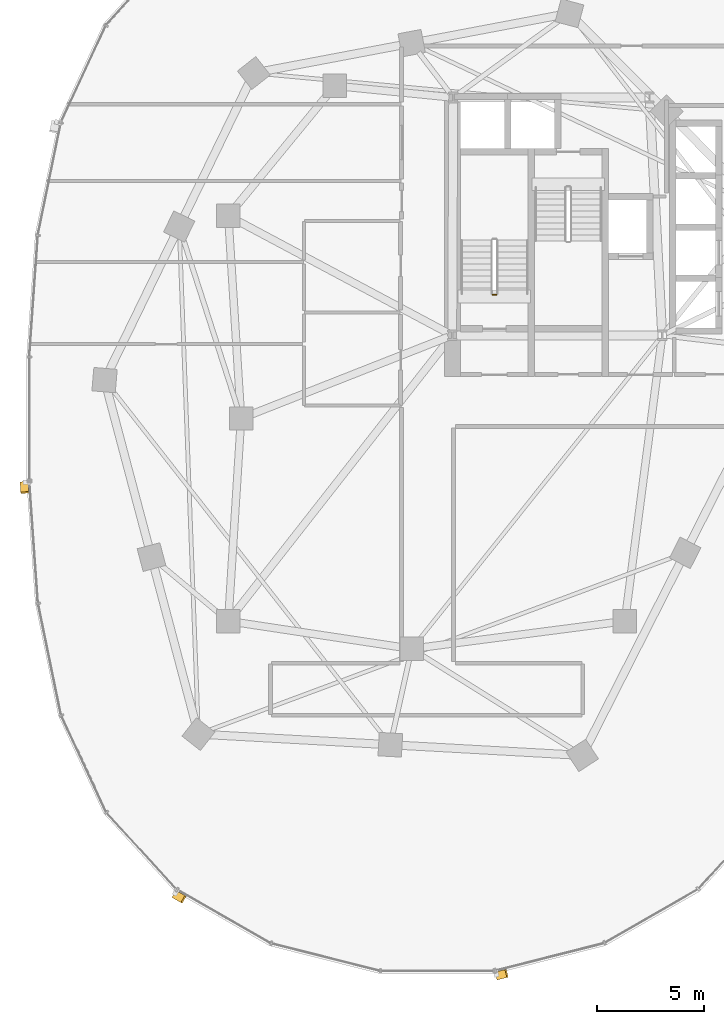
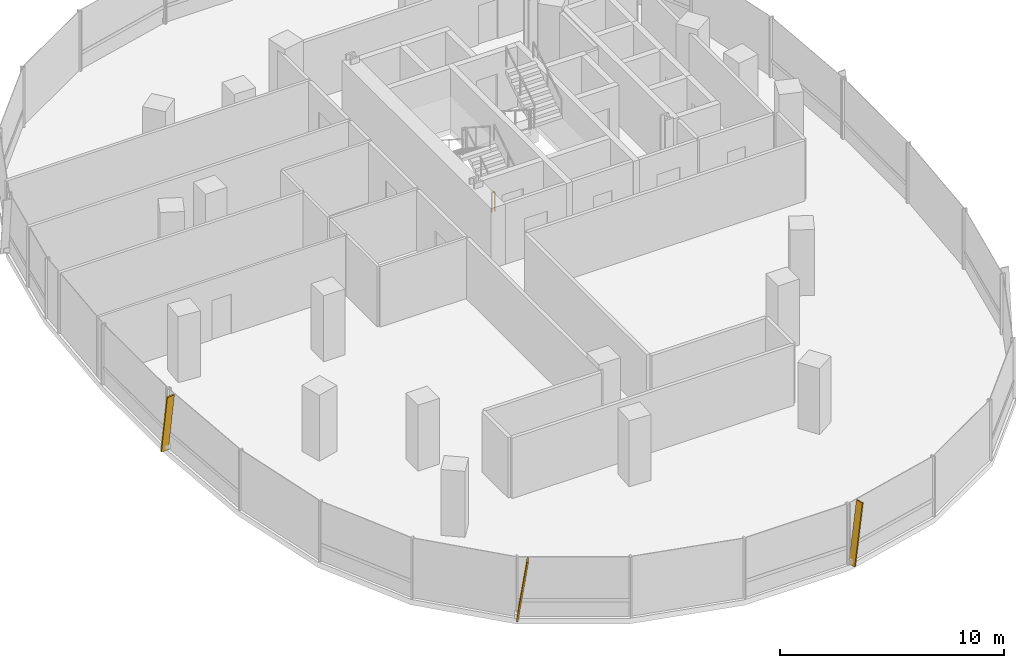
# One storey, part 17 of 21: 3 shading devices, 1 railing.
"""IFC4 building model written with IfcOpenShell, lengths in metres."""

from ifc_helpers import new_model, si_unit, direction, frame, origin, origin_2d, place, context, subcontext, project, spatial, rectangle, extrude, material, material_profile, profile_set, type_object, element, save


model = new_model("IFC4")

# Units and contexts
model_context = context("Model", 3, precision=1e-05, world=origin(), true_north=direction((0.0, 1.0)))
body_context = subcontext(model_context, "Body", "Model", "MODEL_VIEW")
ifc_project = project(units=[si_unit("LENGTHUNIT", "METRE"), si_unit("AREAUNIT", "SQUARE_METRE"), si_unit("VOLUMEUNIT", "CUBIC_METRE"), si_unit("PLANEANGLEUNIT", "RADIAN"), si_unit("MASSUNIT", "GRAM", prefix="KILO"), si_unit("THERMODYNAMICTEMPERATUREUNIT", "KELVIN"), si_unit("POWERUNIT", "WATT")], contexts=[model_context])

# Site, building, storey
site_placement = place(None, origin())
site = spatial("IfcSite", under=ifc_project, at=site_placement, CompositionType="ELEMENT")
building_placement = place(site_placement, origin())
building = spatial("IfcBuilding", under=site, at=building_placement, Name="Cundina Bronze Exchange", CompositionType="ELEMENT")
storey_placement = place(building_placement, frame((0.0, 0.0, 85.39990234375)))
storey = spatial("IfcBuildingStorey", under=building, at=storey_placement, Name="L21", CompositionType="ELEMENT", Elevation=85.39990234375)

# Railing
ifc_material_1 = material(Name="Steel ASTM A36 Painted", Category="steel")
railing_type = type_object("IfcRailingType", Name="RLG-STG-1100", PredefinedType="GUARDRAIL", material=ifc_material_1)
railing_placement = place(storey_placement, frame((-29.239990234375, 5.800048828125, 0.0)))
element("IfcRailing", 1, at=railing_placement, inside=storey, type_object=railing_type, Name="L21 ST-W1 stair guard 4", PredefinedType="GUARDRAIL", context=body_context, shape_type="SweptSolid", body=[
    extrude(rectangle(XDim=0.048095703125, YDim=0.048095703125, at=origin_2d()), frame((0.0, 0.0, 1.076171875), z_axis=(-1.0, 0.0, 0.0), x_axis=(0.0, -1.0, 0.0)), (0.0, 0.0, 1.0), 0.159912109375),
    extrude(rectangle(XDim=0.0419921875, YDim=0.0419921875, at=origin_2d()), origin(), (0.0, 0.0, 1.0), 1.052001953125),
    extrude(rectangle(XDim=0.0419921875, YDim=0.0419921875, at=origin_2d()), frame((-0.159912109375, 0.0, 0.0)), (0.0, 0.0, 1.0), 1.052001953125),
])

# Shading devices
ifc_material_2 = material(Name="Anodised Bronze Aluminium 6063-T6", Category="aluminium")
ifc_material_profile = material_profile(ifc_material_2, rectangle(XDim=0.070068359375, YDim=0.3798828125, at=origin_2d()), Name="FIN70X380", Category="aluminium")
ifc_profile_set = profile_set([ifc_material_profile], Name="Anodised Bronze Aluminium 6063-T6")
shading_device_type = type_object("IfcShadingDeviceType", Name="SHD-FIN-BRZ380", PredefinedType="USERDEFINED", material=ifc_profile_set)
for number, where, z_axis, x_axis, name in (
    (2, (-51.3740234375, -2.993896484375, 0.02001953125), (0.010224545828, -0.145292278041, 0.989335945271), (-0.069450050635, 0.986895284755, 0.145651595925), "L21 Diagonal Bronze Solar Fin 1"),
    (3, (-44.314208984375, -22.314208984375, 0.02001953125), (0.126324692219, -0.072534823274, 0.989333498649), (-0.857958278167, 0.492634108109, 0.145668213594), "L21 Diagonal Bronze Solar Fin 5"),
    (4, (-29.212646484375, -26.138427734375, 0.02001953125), (0.141217047268, 0.035711761166, 0.989334329575), (-0.95914051701, -0.242552848478, 0.145662570088), "L21 Diagonal Bronze Solar Fin 1"),
):
    element("IfcShadingDevice", number, at=place(storey_placement, frame(where, z_axis=z_axis, x_axis=x_axis)), inside=storey, type_object=shading_device_type, Name=name, ObjectType="FIN", PredefinedType="USERDEFINED", context=body_context, shape_type="SweptSolid", body=[
        extrude(rectangle(XDim=0.070068359375, YDim=0.3798828125, at=origin_2d()), origin(), (0.0, 0.0, 1.0), 3.295166015625),
    ])

save(model, "model.ifc")
